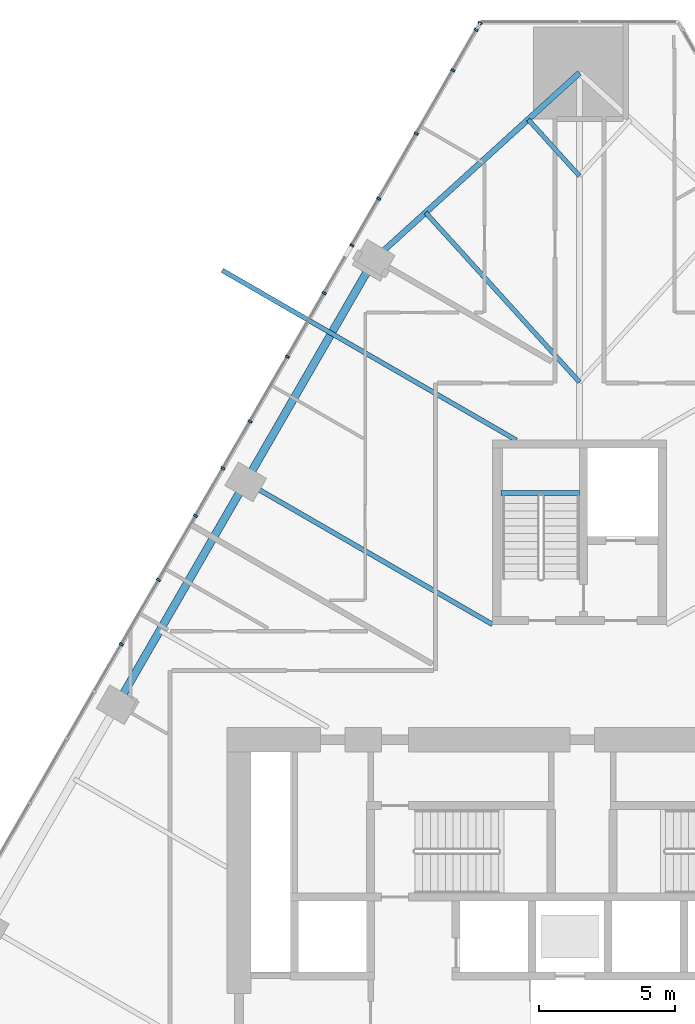
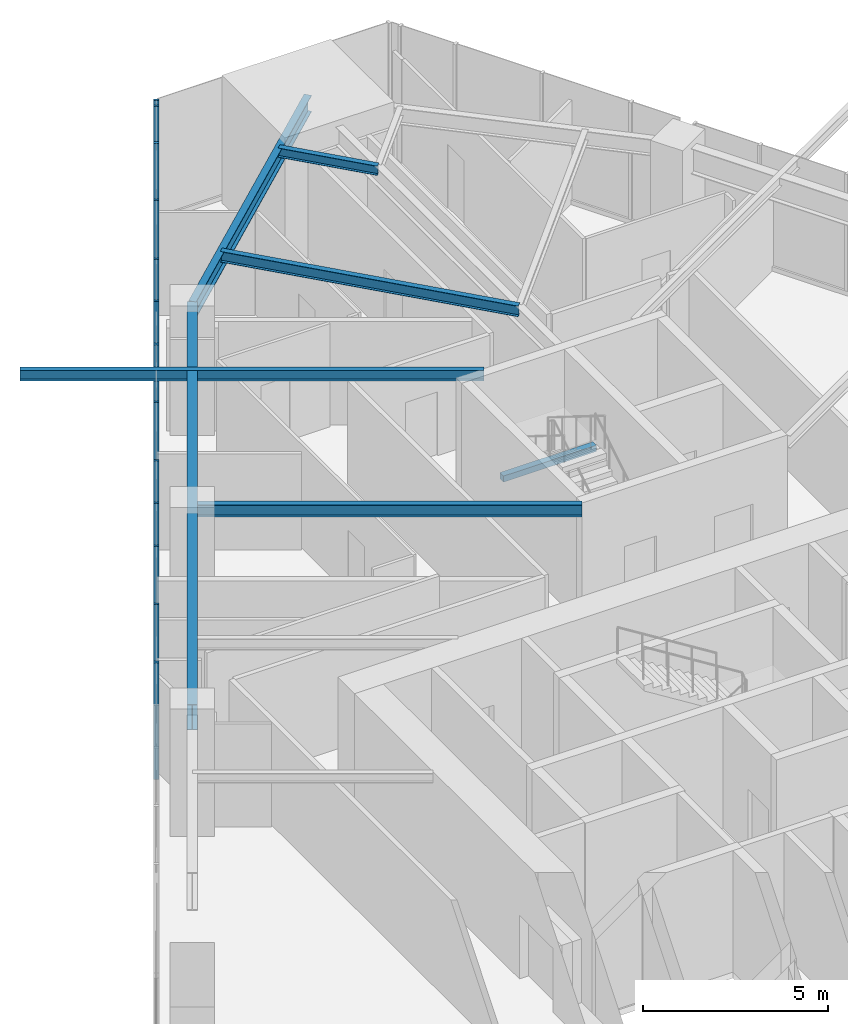
# One storey, part 10 of 26: 13 members, 7 beams, 1 element without a shape of its own.
"""IFC4 building model written with IfcOpenShell, lengths in metres."""

from ifc_helpers import new_model, si_unit, direction, frame, origin, origin_2d, place, context, subcontext, project, spatial, rectangle, i_section, extrude, material, layer, layer_set, material_profile, profile_set, type_object, element, aggregate, save


model = new_model("IFC4")

# Units and contexts
model_context = context("Model", 3, precision=1e-05, world=origin(), true_north=direction((0.0, 1.0)))
body_context = subcontext(model_context, "Body", "Model", "MODEL_VIEW")
ifc_project = project(units=[si_unit("LENGTHUNIT", "METRE"), si_unit("AREAUNIT", "SQUARE_METRE"), si_unit("VOLUMEUNIT", "CUBIC_METRE"), si_unit("PLANEANGLEUNIT", "RADIAN"), si_unit("MASSUNIT", "GRAM", prefix="KILO")], contexts=[model_context])

# Site, building, storey
site_placement = place(None, origin())
site = spatial("IfcSite", under=ifc_project, at=site_placement, CompositionType="ELEMENT")
building_placement = place(site_placement, origin())
building = spatial("IfcBuilding", under=site, at=building_placement, Name="Firuza Gate Tower and Library", CompositionType="ELEMENT")
storey_placement = place(building_placement, frame((0.0, 0.0, 77.800048828125)))
storey = spatial("IfcBuildingStorey", under=building, at=storey_placement, Name="L17", CompositionType="ELEMENT", Elevation=77.800048828125)

# Curtain wall, members
ifc_material_1 = material(Name="Aluminium 6063-T6", Category="aluminium")
ifc_layer = layer(ifc_material_1, 0.14990234375)
ifc_layer_set = layer_set([ifc_layer], Name="Unitised curtain wall, offices")
curtain_wall_type = type_object("IfcCurtainWallType", Name="Unitised curtain wall, offices", PredefinedType="NOTDEFINED", material=ifc_layer_set)
curtain_wall_placement = place(storey_placement, origin())
curtain_wall = element("IfcCurtainWall", 1, at=curtain_wall_placement, inside=storey, type_object=curtain_wall_type, Name="CW1 L17 W face", PredefinedType="NOTDEFINED")
ifc_material_2 = material(Name="Aluminium 6063-T6", Category="aluminium")
ifc_material_profile_1 = material_profile(ifc_material_2, rectangle(XDim=0.14990234375, YDim=0.080078125, at=origin_2d()))
ifc_profile_set_1 = profile_set([ifc_material_profile_1], Name="Aluminium 6063-T6")
member_type = type_object("IfcMemberType", Name="Curtain wall mullion 80x150", PredefinedType="MULLION", material=ifc_profile_set_1)
member_1_placement = place(storey_placement, frame((71.336669921875, 109.976806640625, 0.14990234375), z_axis=(0.0, 0.0, 1.0), x_axis=(0.866025403784, -0.5, 0.0)))
member_1 = element("IfcMember", 2, at=member_1_placement, type_object=member_type, Name="Mullion", PredefinedType="MULLION", context=body_context, shape_type="SweptSolid", body=[
    extrude(rectangle(XDim=0.14990234375, YDim=0.080078125, at=origin_2d()), origin(), (0.0, 0.0, 1.0), 3.85009765625),
])
member_2_placement = place(storey_placement, frame((68.981689453125, 105.89794921875, 0.14990234375), z_axis=(0.0, 0.0, 1.0), x_axis=(0.866025403784, -0.5, 0.0)))
member_2 = element("IfcMember", 3, at=member_2_placement, type_object=member_type, Name="Mullion", PredefinedType="MULLION", context=body_context, shape_type="SweptSolid", body=[
    extrude(rectangle(XDim=0.14990234375, YDim=0.080078125, at=origin_2d()), origin(), (0.0, 0.0, 1.0), 3.85009765625),
])
member_3_placement = place(storey_placement, frame((66.60693359375, 101.784423828125, 0.14990234375), z_axis=(0.0, 0.0, 1.0), x_axis=(0.866025403784, -0.5, 0.0)))
member_3 = element("IfcMember", 4, at=member_3_placement, type_object=member_type, Name="Mullion", PredefinedType="MULLION", context=body_context, shape_type="SweptSolid", body=[
    extrude(rectangle(XDim=0.14990234375, YDim=0.080078125, at=origin_2d()), origin(), (0.0, 0.0, 1.0), 3.85009765625),
])
member_4_placement = place(storey_placement, frame((64.23193359375, 97.6708984375, 0.14990234375), z_axis=(0.0, 0.0, 1.0), x_axis=(0.866025403784, -0.5, 0.0)))
member_4 = element("IfcMember", 5, at=member_4_placement, type_object=member_type, Name="Mullion", PredefinedType="MULLION", context=body_context, shape_type="SweptSolid", body=[
    extrude(rectangle(XDim=0.14990234375, YDim=0.080078125, at=origin_2d()), origin(), (0.0, 0.0, 1.0), 3.85009765625),
])
member_5_placement = place(storey_placement, frame((61.85693359375, 93.557373046875, 0.14990234375), z_axis=(0.0, 0.0, 1.0), x_axis=(0.866025403784, -0.5, 0.0)))
member_5 = element("IfcMember", 6, at=member_5_placement, type_object=member_type, Name="Mullion", PredefinedType="MULLION", context=body_context, shape_type="SweptSolid", body=[
    extrude(rectangle(XDim=0.14990234375, YDim=0.080078125, at=origin_2d()), origin(), (0.0, 0.0, 1.0), 3.85009765625),
])
member_6_placement = place(storey_placement, frame((59.48193359375, 89.444091796875, 0.14990234375), z_axis=(0.0, 0.0, 1.0), x_axis=(0.866025403784, -0.5, 0.0)))
member_6 = element("IfcMember", 7, at=member_6_placement, type_object=member_type, Name="Mullion", PredefinedType="MULLION", context=body_context, shape_type="SweptSolid", body=[
    extrude(rectangle(XDim=0.14990234375, YDim=0.080078125, at=origin_2d()), origin(), (0.0, 0.0, 1.0), 3.85009765625),
])
member_7_placement = place(storey_placement, frame((71.191162109375, 109.724609375, 0.14990234375), z_axis=(0.0, 0.0, 1.0), x_axis=(0.866025403784, -0.5, 0.0)))
member_7 = element("IfcMember", 8, at=member_7_placement, type_object=member_type, Name="Mullion", PredefinedType="MULLION", context=body_context, shape_type="SweptSolid", body=[
    extrude(rectangle(XDim=0.14990234375, YDim=0.080078125, at=origin_2d()), origin(), (0.0, 0.0, 1.0), 3.85009765625),
])
member_8_placement = place(storey_placement, frame((70.33056640625, 108.234130859375, 0.14990234375), z_axis=(0.0, 0.0, 1.0), x_axis=(0.866025403784, -0.5, 0.0)))
member_8 = element("IfcMember", 9, at=member_8_placement, type_object=member_type, Name="Mullion", PredefinedType="MULLION", context=body_context, shape_type="SweptSolid", body=[
    extrude(rectangle(XDim=0.14990234375, YDim=0.080078125, at=origin_2d()), origin(), (0.0, 0.0, 1.0), 3.85009765625),
])
member_9_placement = place(storey_placement, frame((67.596923828125, 103.49951171875, 0.14990234375), z_axis=(0.0, 0.0, 1.0), x_axis=(0.866025403784, -0.5, 0.0)))
member_9 = element("IfcMember", 10, at=member_9_placement, type_object=member_type, Name="Mullion", PredefinedType="MULLION", context=body_context, shape_type="SweptSolid", body=[
    extrude(rectangle(XDim=0.14990234375, YDim=0.080078125, at=origin_2d()), origin(), (0.0, 0.0, 1.0), 3.85009765625),
])
member_10_placement = place(storey_placement, frame((65.587890625, 100.01953125, 0.14990234375), z_axis=(0.0, 0.0, 1.0), x_axis=(0.866025403784, -0.5, 0.0)))
member_10 = element("IfcMember", 11, at=member_10_placement, type_object=member_type, Name="Mullion", PredefinedType="MULLION", context=body_context, shape_type="SweptSolid", body=[
    extrude(rectangle(XDim=0.14990234375, YDim=0.080078125, at=origin_2d()), origin(), (0.0, 0.0, 1.0), 3.85009765625),
])
member_11_placement = place(storey_placement, frame((62.854248046875, 95.284912109375, 0.14990234375), z_axis=(0.0, 0.0, 1.0), x_axis=(0.866025403784, -0.5, 0.0)))
member_11 = element("IfcMember", 12, at=member_11_placement, type_object=member_type, Name="Mullion", PredefinedType="MULLION", context=body_context, shape_type="SweptSolid", body=[
    extrude(rectangle(XDim=0.14990234375, YDim=0.080078125, at=origin_2d()), origin(), (0.0, 0.0, 1.0), 3.85009765625),
])
member_12_placement = place(storey_placement, frame((60.84521484375, 91.80517578125, 0.14990234375), z_axis=(0.0, 0.0, 1.0), x_axis=(0.866025403784, -0.5, 0.0)))
member_12 = element("IfcMember", 13, at=member_12_placement, type_object=member_type, Name="Mullion", PredefinedType="MULLION", context=body_context, shape_type="SweptSolid", body=[
    extrude(rectangle(XDim=0.14990234375, YDim=0.080078125, at=origin_2d()), origin(), (0.0, 0.0, 1.0), 3.85009765625),
])
member_13_placement = place(storey_placement, frame((58.111572265625, 87.0703125, 0.14990234375), z_axis=(0.0, 0.0, 1.0), x_axis=(0.866025403784, -0.5, 0.0)))
member_13 = element("IfcMember", 14, at=member_13_placement, type_object=member_type, Name="Mullion", PredefinedType="MULLION", context=body_context, shape_type="SweptSolid", body=[
    extrude(rectangle(XDim=0.14990234375, YDim=0.080078125, at=origin_2d()), origin(), (0.0, 0.0, 1.0), 3.85009765625),
])
aggregate(curtain_wall, [member_1, member_2, member_3, member_4, member_5, member_6, member_7, member_8, member_9, member_10, member_11, member_12, member_13])

# Beams
ifc_material_3 = material(Name="Concrete C35/45", Category="concrete")
ifc_material_profile_2 = material_profile(ifc_material_3, rectangle(XDim=0.199951171875, YDim=0.199951171875, at=origin_2d()))
ifc_profile_set_2 = profile_set([ifc_material_profile_2], Name="Concrete C35/45")
beam_type_1 = type_object("IfcBeamType", Name="Stair landing bearer 200x200", PredefinedType="BEAM", material=ifc_profile_set_2)
beam_1_placement = place(storey_placement, frame((75.0, 92.64990234375, 1.800048828125), z_axis=(-1.0, 0.0, 0.0), x_axis=(0.0, -1.0, 0.0)))
element("IfcBeam", 15, at=beam_1_placement, inside=storey, type_object=beam_type_1, Name="Landing bearer L17 stair 3", PredefinedType="BEAM", context=body_context, shape_type="SweptSolid", body=[
    extrude(rectangle(XDim=0.199951171875, YDim=0.199951171875, at=origin_2d()), origin(), (0.0, 0.0, 1.0), 2.89990234375),
])
ifc_material_4 = material(Name="Steel S355", Category="steel")
ifc_material_profile_3 = material_profile(ifc_material_4, i_section(OverallWidth=0.1650390625, OverallDepth=0.31005859375, WebThickness=0.005859375, FlangeThickness=0.009765625, at=origin_2d()))
ifc_profile_set_3 = profile_set([ifc_material_profile_3], Name="Steel S355")
beam_type_2 = type_object("IfcBeamType", Name="W310x39 Floor beam", PredefinedType="JOIST", material=ifc_profile_set_3)
beam_2_placement = place(storey_placement, frame((73.109130859375, 106.42041015625, 3.844970703125), z_axis=(0.672089489403, -0.740469930675, 0.0), x_axis=(0.740469930675, 0.672089489403, 0.0)))
element("IfcBeam", 16, at=beam_2_placement, inside=storey, type_object=beam_type_2, Name="Floor beam L17 s70", PredefinedType="JOIST", context=body_context, shape_type="SweptSolid", body=[
    extrude(i_section(OverallWidth=0.1650390625, OverallDepth=0.31005859375, WebThickness=0.005859375, FlangeThickness=0.009765625, at=origin_2d()), origin(), (0.0, 0.0, 1.0), 2.8134765625),
])
ifc_material_5 = material(Name="Steel S355", Category="steel")
ifc_material_profile_4 = material_profile(ifc_material_5, i_section(OverallWidth=0.1708984375, OverallDepth=0.35498046875, WebThickness=0.007080078125, FlangeThickness=0.01171875, at=origin_2d()))
ifc_profile_set_4 = profile_set([ifc_material_profile_4], Name="Steel S355")
beam_type_3 = type_object("IfcBeamType", Name="W360x51 Floor beam", PredefinedType="JOIST", material=ifc_profile_set_4)
beam_3_placement = place(storey_placement, frame((69.32763671875, 102.988037109375, 3.822509765625), z_axis=(0.672073629083, -0.740484326027, 0.0), x_axis=(0.740484326027, 0.672073629083, 0.0)))
element("IfcBeam", 17, at=beam_3_placement, inside=storey, type_object=beam_type_3, Name="Floor beam L17 s71", PredefinedType="JOIST", context=body_context, shape_type="SweptSolid", body=[
    extrude(i_section(OverallWidth=0.1708984375, OverallDepth=0.35498046875, WebThickness=0.007080078125, FlangeThickness=0.01171875, at=origin_2d()), origin(), (0.0, 0.0, 1.0), 8.440185546875),
])
beam_4_placement = place(storey_placement, frame((61.828857421875, 100.85888671875, 3.822509765625), z_axis=(0.86602611322, -0.49999877122, 0.0), x_axis=(0.49999877122, 0.86602611322, 0.0)))
element("IfcBeam", 18, at=beam_4_placement, inside=storey, type_object=beam_type_3, Name="Floor beam L17 s80", PredefinedType="JOIST", context=body_context, shape_type="SweptSolid", body=[
    extrude(i_section(OverallWidth=0.1708984375, OverallDepth=0.35498046875, WebThickness=0.007080078125, FlangeThickness=0.01171875, at=origin_2d()), origin(), (0.0, 0.0, 1.0), 12.517578125),
])
ifc_material_6 = material(Name="Steel S355", Category="steel")
ifc_material_profile_5 = material_profile(ifc_material_6, i_section(OverallWidth=0.177978515625, OverallDepth=0.406982421875, WebThickness=0.0078125, FlangeThickness=0.0126953125, at=origin_2d()))
ifc_profile_set_5 = profile_set([ifc_material_profile_5], Name="Steel S355")
beam_type_4 = type_object("IfcBeamType", Name="W410x60 Floor beam", PredefinedType="JOIST", material=ifc_profile_set_5)
beam_5_placement = place(storey_placement, frame((62.694091796875, 93.057373046875, 3.79638671875), z_axis=(0.866035561846, -0.499982405309, 0.0), x_axis=(0.499982405309, 0.866035561846, 0.0)))
element("IfcBeam", 19, at=beam_5_placement, inside=storey, type_object=beam_type_4, Name="Floor beam L17 s81", PredefinedType="JOIST", context=body_context, shape_type="SweptSolid", body=[
    extrude(i_section(OverallWidth=0.177978515625, OverallDepth=0.406982421875, WebThickness=0.0078125, FlangeThickness=0.0126953125, at=origin_2d()), origin(), (0.0, 0.0, 1.0), 10.5146484375),
])
ifc_material_7 = material(Name="Steel S355", Category="steel")
ifc_material_profile_6 = material_profile(ifc_material_7, i_section(OverallWidth=0.212890625, OverallDepth=0.5390625, WebThickness=0.01171875, FlangeThickness=0.018798828125, at=origin_2d()))
ifc_profile_set_6 = profile_set([ifc_material_profile_6], Name="Steel S355")
beam_type_5 = type_object("IfcBeamType", Name="W530x109 Edge beam", PredefinedType="SPANDREL", material=ifc_profile_set_6)
beam_6_placement = place(storey_placement, frame((75.0, 108.136474609375, 3.73046875), z_axis=(-0.740483862736, -0.672074139532, 0.0), x_axis=(0.672074139532, -0.740483862736, 0.0)))
element("IfcBeam", 20, at=beam_6_placement, inside=storey, type_object=beam_type_5, Name="Edge beam L17 e70", PredefinedType="SPANDREL", context=body_context, shape_type="SweptSolid", body=[
    extrude(i_section(OverallWidth=0.212890625, OverallDepth=0.5390625, WebThickness=0.01171875, FlangeThickness=0.018798828125, at=origin_2d()), origin(), (0.0, 0.0, 1.0), 10.2138671875),
])
ifc_material_8 = material(Name="Steel S355", Category="steel")
ifc_material_profile_7 = material_profile(ifc_material_8, i_section(OverallWidth=0.2919921875, OverallDepth=0.8349609375, WebThickness=0.013916015625, FlangeThickness=0.018798828125, at=origin_2d()))
ifc_profile_set_7 = profile_set([ifc_material_profile_7], Name="Steel S355")
beam_type_6 = type_object("IfcBeamType", Name="W840x176 Edge beam", PredefinedType="SPANDREL", material=ifc_profile_set_7)
beam_7_placement = place(storey_placement, frame((67.436767578125, 101.27197265625, 3.58251953125), z_axis=(-0.500003555199, -0.866023351179, 0.0), x_axis=(0.866023351179, -0.500003555199, 0.0)))
element("IfcBeam", 21, at=beam_7_placement, inside=storey, type_object=beam_type_6, Name="Edge beam L17 e80", PredefinedType="SPANDREL", context=body_context, shape_type="SweptSolid", body=[
    extrude(i_section(OverallWidth=0.2919921875, OverallDepth=0.8349609375, WebThickness=0.013916015625, FlangeThickness=0.018798828125, at=origin_2d()), origin(), (0.0, 0.0, 1.0), 18.970458984375),
])

save(model, "model.ifc")
